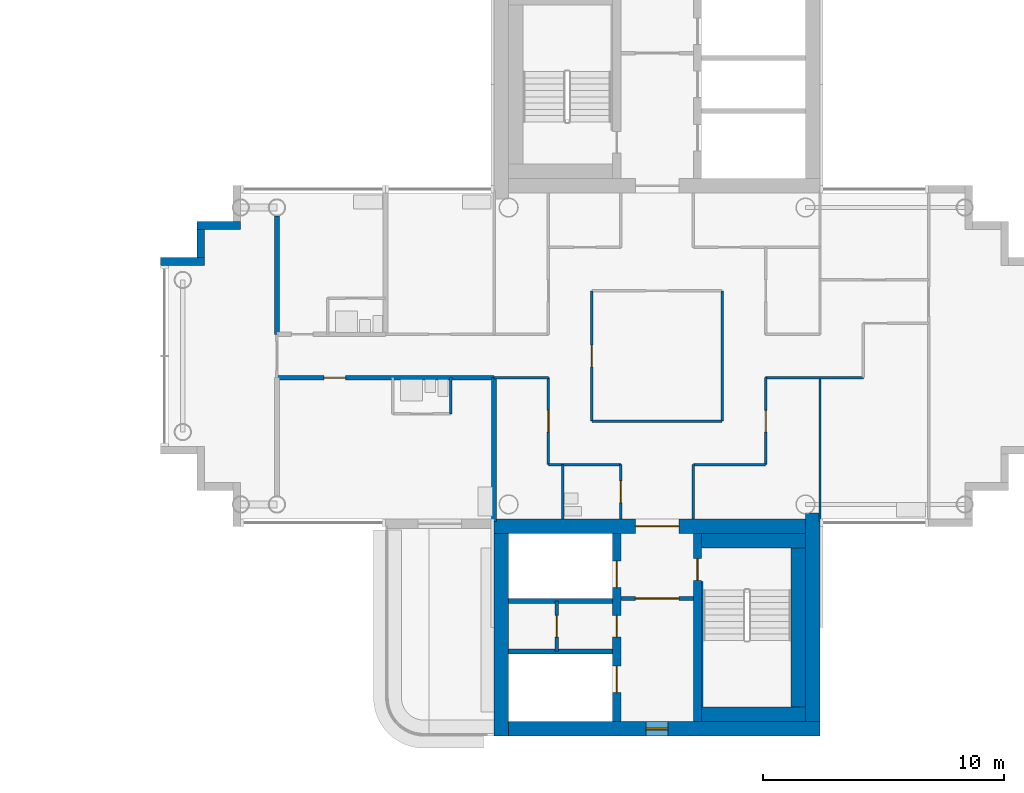
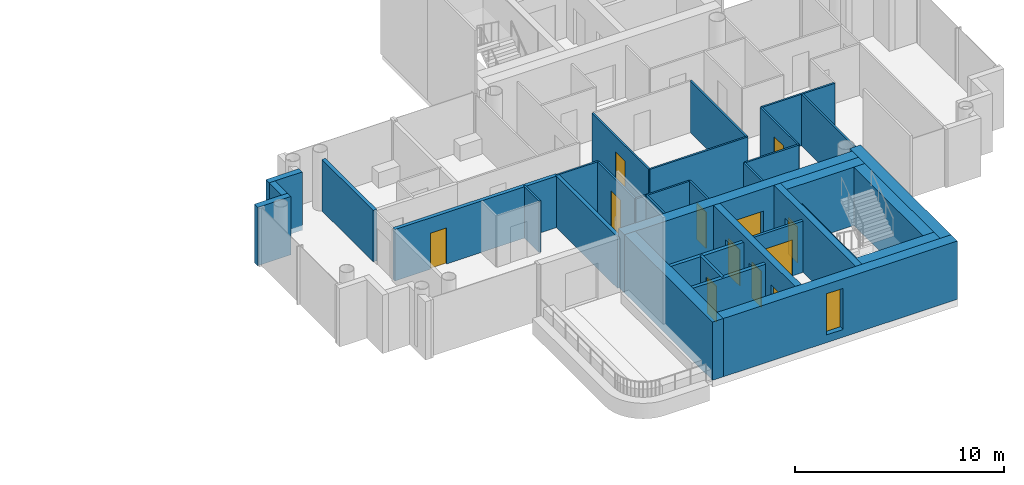
# One storey, part 9 of 18: 34 walls, 12 doors, 1 window, 13 openings.
"""IFC4 building model written with IfcOpenShell, lengths in metres."""

import ifcopenshell
import ifcopenshell.guid

model = None  # the IFC model being written
_history = None  # IfcOwnerHistory: only IFC2X3 demands one
_inside = {}  # id of a spatial element -> (the spatial element, [elements in it])
_under = {}  # id of a project, library or spatial element -> (it, [spatial elements below it])
_declared = {}  # id of a project -> (the project, [libraries it declares])
_typed = {}  # id of a type object -> (the type object, [elements of that type])
_made_of = {}  # id of a material, layer set ... -> (it, [elements and type objects made of it])


def new_model(schema):
    """Start an empty IFC model of exactly this schema.

    Asked for "IFC4X3", IfcOpenShell would pick the latest addendum, in which some entities
    have other attributes; the version numbers below select the first issue.
    IFC2X3 requires an IfcOwnerHistory on every rooted entity: one is made here for all.
    """
    global model, _history
    if schema == "IFC4X3":
        model = ifcopenshell.file(schema_version=(4, 3, 0, 0))
    else:
        model = ifcopenshell.file(schema=schema)
    _inside.clear()
    _under.clear()
    _declared.clear()
    _typed.clear()
    _made_of.clear()
    _history = None
    if model.schema == "IFC2X3":
        org = make("IfcOrganization", Name="unknown")
        user = make(
            "IfcPersonAndOrganization",
            ThePerson=make("IfcPerson", FamilyName="unknown"),
            TheOrganization=org,
        )
        app = make(
            "IfcApplication",
            ApplicationDeveloper=org,
            Version="unknown",
            ApplicationFullName="unknown",
            ApplicationIdentifier="unknown",
        )
        _history = make(
            "IfcOwnerHistory",
            OwningUser=user,
            OwningApplication=app,
            ChangeAction="ADDED",
            CreationDate=0,
        )
    return model


def make(cls, **values):
    """One entity of the class cls with the attributes given. An attribute that is None is left unset."""
    return model.create_entity(
        cls, **{name: value for name, value in values.items() if value is not None}
    )


def rooted(cls, **values):
    """An entity with a GlobalId (a new one), such as an element, a storey or a relation."""
    return make(cls, GlobalId=ifcopenshell.guid.new(), OwnerHistory=_history, **values)


def si_unit(unit_type, name, prefix=None):
    """IfcSIUnit, for example si_unit("LENGTHUNIT", "METRE", prefix="MILLI")."""
    return make("IfcSIUnit", UnitType=unit_type, Prefix=prefix, Name=name)


def assignment(units):
    """IfcUnitAssignment: the units of a project."""
    return None if units is None else make("IfcUnitAssignment", Units=units)


def point(xyz):
    """IfcCartesianPoint."""
    return None if xyz is None else make("IfcCartesianPoint", Coordinates=xyz)


def direction(xyz):
    """IfcDirection."""
    return None if xyz is None else make("IfcDirection", DirectionRatios=xyz)


def frame(location, z_axis=None, x_axis=None):
    """IfcAxis2Placement3D, a coordinate frame: its origin and axes. An axis left out is left unset."""
    return make(
        "IfcAxis2Placement3D",
        Location=point(location),
        Axis=direction(z_axis),
        RefDirection=direction(x_axis),
    )


def frame_2d(location, x_axis=None):
    """IfcAxis2Placement2D, a coordinate frame in the plane: its origin and x axis."""
    return make(
        "IfcAxis2Placement2D", Location=point(location), RefDirection=direction(x_axis)
    )


def origin():
    """The frame at (0, 0, 0) with its axes left unset."""
    return frame((0.0, 0.0, 0.0))


def place(relative_to, where):
    """IfcLocalPlacement: puts the frame where relative to a parent placement (None: the world)."""
    return make(
        "IfcLocalPlacement", PlacementRelTo=relative_to, RelativePlacement=where
    )


def context(
    kind, dimensions, precision=None, world=None, true_north=None, identifier=None
):
    """IfcGeometricRepresentationContext, for example the 3D "Model" context."""
    return make(
        "IfcGeometricRepresentationContext",
        ContextIdentifier=identifier,
        ContextType=kind,
        CoordinateSpaceDimension=dimensions,
        Precision=precision,
        WorldCoordinateSystem=world,
        TrueNorth=true_north,
    )


def subcontext(parent, identifier, kind, view, scale=None):
    """IfcGeometricRepresentationSubContext, for example "Body" below "Model"."""
    return make(
        "IfcGeometricRepresentationSubContext",
        ContextIdentifier=identifier,
        ContextType=kind,
        ParentContext=parent,
        TargetScale=scale,
        TargetView=view,
    )


def project(units=None, contexts=None):
    """IfcProject with its units and contexts."""
    return rooted(
        "IfcProject",
        Name="project",
        RepresentationContexts=contexts,
        UnitsInContext=assignment(units),
    )


def spatial(cls, under=None, at=None, **own):
    """A site, building, storey or space (cls), placed at a placement, below another one or the project."""
    s = rooted(cls, ObjectPlacement=at, **own)
    if under is not None:
        _under.setdefault(under.id(), (under, []))[1].append(s)
    return s


def profile(cls, at=None, kind="AREA", **sizes):
    """A parametric profile (cls). Its sizes go by their IFC names, for example OverallWidth=200.0."""
    return make(cls, ProfileType=kind, Position=at, **sizes)


def rectangle(**sizes):
    """IfcRectangleProfileDef."""
    return profile("IfcRectangleProfileDef", **sizes)


def extrude(swept, where, along, depth):
    """IfcExtrudedAreaSolid: the profile swept, set in the frame where, extruded along a direction by depth."""
    return make(
        "IfcExtrudedAreaSolid",
        SweptArea=swept,
        Position=where,
        ExtrudedDirection=direction(along),
        Depth=depth,
    )


def shape(context_of_items, identifier, shape_type, items):
    """IfcShapeRepresentation: the items that make up one representation, for example the "Body"."""
    return make(
        "IfcShapeRepresentation",
        ContextOfItems=context_of_items,
        RepresentationIdentifier=identifier,
        RepresentationType=shape_type,
        Items=items,
    )


def material(Name=None, Category=None):
    """IfcMaterial."""
    return make("IfcMaterial", Name=Name, Category=Category)


def layer(
    of_material, thickness, ventilated=None, Name=None, Category=None, Priority=None
):
    """IfcMaterialLayer: one layer of a wall or slab, of a material (None: an air gap)."""
    return make(
        "IfcMaterialLayer",
        Material=of_material,
        LayerThickness=thickness,
        IsVentilated=ventilated,
        Name=Name,
        Category=Category,
        Priority=Priority,
    )


def layer_set(layers, Name=None):
    """IfcMaterialLayerSet."""
    return make("IfcMaterialLayerSet", MaterialLayers=layers, LayerSetName=Name)


def made_of(thing, what):
    """Note that an element or type object is made of a material, layer set ...; save() writes the relation."""
    if what is not None:
        _made_of.setdefault(what.id(), (what, []))[1].append(thing)
    return thing


def type_object(cls, material=None, **own):
    """A type object (cls), such as IfcWallType, which elements share."""
    return made_of(rooted(cls, **own), material)


def element(
    cls,
    number,
    at=None,
    inside=None,
    cuts=None,
    type_object=None,
    material=None,
    context=None,
    identifier="Body",
    shape_type=None,
    held_by="IfcProductDefinitionShape",
    body=None,
    shapes=None,
    **own,
):
    """One element of the class cls, such as IfcWall. Its Tag is "e" and its number.

    at: its placement. inside: the storey or other place that contains it. cuts: it is an
    opening in that element (IfcRelVoidsElement). A single representation is given by context,
    identifier, shape_type and body (its items); several are given by shapes. held_by: the class
    of the entity that holds the representations. save() writes the other relations.
    """
    e = rooted(cls, Tag="e%d" % number, ObjectPlacement=at, **own)
    if body is not None:
        shapes = [shape(context, identifier, shape_type, body)]
    if shapes is not None:
        e.Representation = make(held_by, Representations=shapes)
    if inside is not None:
        _inside.setdefault(inside.id(), (inside, []))[1].append(e)
    if cuts is not None:
        rooted(
            "IfcRelVoidsElement", RelatingBuildingElement=cuts, RelatedOpeningElement=e
        )
    if type_object is not None:
        _typed.setdefault(type_object.id(), (type_object, []))[1].append(e)
    return made_of(e, material)


def fill(opening, filler):
    """IfcRelFillsElement: the door or window that sits in an opening."""
    return rooted(
        "IfcRelFillsElement",
        RelatingOpeningElement=opening,
        RelatedBuildingElement=filler,
    )


def aggregate(whole, parts):
    """IfcRelAggregates: a whole, such as a stair, and the parts it consists of."""
    return rooted("IfcRelAggregates", RelatingObject=whole, RelatedObjects=parts)


def save(model, path):
    """Write the relations noted so far, then the file.

    IfcRelAggregates (storeys below a building ...), IfcRelContainedInSpatialStructure (elements
    in a storey), IfcRelDefinesByType, IfcRelAssociatesMaterial and IfcRelDeclares: one each for
    every whole, place, type object, material and project.
    """
    for whole, parts in _under.values():
        aggregate(whole, parts)
    for where, things in _inside.values():
        rooted(
            "IfcRelContainedInSpatialStructure",
            RelatedElements=things,
            RelatingStructure=where,
        )
    for kind, things in _typed.values():
        rooted("IfcRelDefinesByType", RelatedObjects=things, RelatingType=kind)
    for what, things in _made_of.values():
        rooted("IfcRelAssociatesMaterial", RelatedObjects=things, RelatingMaterial=what)
    for by, libraries in _declared.values():
        rooted("IfcRelDeclares", RelatingContext=by, RelatedDefinitions=libraries)
    model.write(path)


model = new_model("IFC4")

# Units and contexts
model_context = context("Model", 3, precision=1e-05, world=origin(), true_north=direction((0.0, 1.0)))
body_context = subcontext(model_context, "Body", "Model", "MODEL_VIEW")
ifc_project = project(units=[si_unit("LENGTHUNIT", "METRE"), si_unit("AREAUNIT", "SQUARE_METRE"), si_unit("VOLUMEUNIT", "CUBIC_METRE"), si_unit("PLANEANGLEUNIT", "RADIAN"), si_unit("MASSUNIT", "GRAM", prefix="KILO")], contexts=[model_context])

# Site, building, storey
site_placement = place(None, origin())
site = spatial("IfcSite", under=ifc_project, at=site_placement, CompositionType="ELEMENT")
building_placement = place(site_placement, origin())
building = spatial("IfcBuilding", under=site, at=building_placement, Name="Ipe Terrace Towers", CompositionType="ELEMENT")
storey_placement = place(building_placement, frame((0.0, 0.0, 206.199951171875)))
storey = spatial("IfcBuildingStorey", under=building, at=storey_placement, Name="L57", CompositionType="ELEMENT", Elevation=206.199951171875)

# Walls
ifc_material_1 = material(Name="Concrete C40/50 with buff precast cladding", Category="concrete")
ifc_layer_1 = layer(ifc_material_1, 0.320068359375)
ifc_layer_set_1 = layer_set([ifc_layer_1], Name="BUFF CLADDING WALL 320")
wall_type_1 = type_object("IfcWallType", Name="BUFF CLADDING WALL 320", PredefinedType="STANDARD", material=ifc_layer_set_1)
wall_1_placement = place(storey_placement, frame((18.75, 5.409912109375, -0.300048828125), z_axis=(0.0, 0.0, 1.0), x_axis=(-1.0, 0.0, 0.0)))
element("IfcWall", 1, at=wall_1_placement, inside=storey, type_object=wall_type_1, Name="T2-W-L57-23a wall", PredefinedType="STANDARD", context=body_context, shape_type="SweptSolid", body=[
    extrude(rectangle(XDim=1.820068359375, YDim=0.320068359375, at=frame_2d((0.91015625, 0.0))), origin(), (0.0, 0.0, 1.0), 3.400146484375),
])
wall_2_placement = place(storey_placement, frame((17.090087890625, 5.25, -0.300048828125), z_axis=(0.0, 0.0, 1.0), x_axis=(0.0, -1.0, 0.0)))
element("IfcWall", 2, at=wall_2_placement, inside=storey, type_object=wall_type_1, Name="T2-W-L57-24a wall", PredefinedType="STANDARD", context=body_context, shape_type="SweptSolid", body=[
    extrude(rectangle(XDim=1.179931640625, YDim=0.320068359375, at=frame_2d((0.58984375, 0.0))), origin(), (0.0, 0.0, 1.0), 3.400146484375),
])
wall_3_placement = place(storey_placement, frame((17.25, 3.909912109375, -0.300048828125), z_axis=(0.0, 0.0, 1.0), x_axis=(-1.0, 0.0, 0.0)))
element("IfcWall", 3, at=wall_3_placement, inside=storey, type_object=wall_type_1, Name="T2-W-L57-25a wall", PredefinedType="STANDARD", context=body_context, shape_type="SweptSolid", body=[
    extrude(rectangle(XDim=1.820068359375, YDim=0.320068359375, at=frame_2d((0.91015625, 0.0))), origin(), (0.0, 0.0, 1.0), 3.400146484375),
])
ifc_material_2 = material(Name="Gypsum board partition", Category="plasterboard")
ifc_layer_2 = layer(ifc_material_2, 0.10009765625)
ifc_layer_set_2 = layer_set([ifc_layer_2], Name="Gypsum board partition 100 mm")
wall_type_2 = type_object("IfcWallType", Name="Gypsum board partition 100 mm", PredefinedType="PARTITIONING", material=ifc_layer_set_2)
for number, where, z_axis, x_axis, name in (
    (4, (40.5, -4.5, 0.0), (0.0, 0.0, 1.0), (-1.0, 0.0, 0.0), "Gypsum board partition T2 L57 W01"),
    (5, (34.5, -4.5, 0.0), (0.0, 0.0, 1.0), (-1.0, 0.0, 0.0), "Gypsum board partition T2 L57 W02"),
):
    element("IfcWall", number, at=place(storey_placement, frame(where, z_axis=z_axis, x_axis=x_axis)), inside=storey, type_object=wall_type_2, Name=name, PredefinedType="PARTITIONING", context=body_context, shape_type="SweptSolid", body=[
        extrude(rectangle(XDim=3.0, YDim=0.10009765625, at=frame_2d((1.5, 0.0))), origin(), (0.0, 0.0, 1.0), 3.0),
    ])
wall_4_placement = place(storey_placement, frame((38.699951171875, -2.699951171875, 0.0), z_axis=(0.0, 0.0, 1.0), x_axis=(-1.0, 0.0, 0.0)))
element("IfcWall", 6, at=wall_4_placement, inside=storey, type_object=wall_type_2, Name="Gypsum board partition T2 L57 W03", PredefinedType="PARTITIONING", context=body_context, shape_type="SweptSolid", body=[
    extrude(rectangle(XDim=5.39990234375, YDim=0.10009765625, at=frame_2d((2.699951171875, 0.0))), origin(), (0.0, 0.0, 1.0), 3.0),
])
wall_5_placement = place(storey_placement, frame((44.550048828125, -0.89990234375, 0.0), z_axis=(0.0, 0.0, 1.0), x_axis=(-1.0, 0.0, 0.0)))
element("IfcWall", 7, at=wall_5_placement, inside=storey, type_object=wall_type_2, Name="Gypsum board partition T2 L57 W05", PredefinedType="PARTITIONING", context=body_context, shape_type="SweptSolid", body=[
    extrude(rectangle(XDim=4.050048828125, YDim=0.10009765625, at=frame_2d((2.02490234375, 0.0))), origin(), (0.0, 0.0, 1.0), 3.0),
])
wall_6_placement = place(storey_placement, frame((31.5, -0.89990234375, 0.0), z_axis=(0.0, 0.0, 1.0), x_axis=(-1.0, 0.0, 0.0)))
element("IfcWall", 8, at=wall_6_placement, inside=storey, type_object=wall_type_2, Name="Gypsum board partition T2 L57 W06", PredefinedType="PARTITIONING", context=body_context, shape_type="SweptSolid", body=[
    extrude(rectangle(XDim=2.25, YDim=0.10009765625, at=frame_2d((1.125, 0.0))), origin(), (0.0, 0.0, 1.0), 3.0),
])
wall_7_placement = place(storey_placement, frame((42.75, -6.85009765625, 0.0), z_axis=(0.0, 0.0, 1.0), x_axis=(0.0, 1.0, 0.0)))
element("IfcWall", 9, at=wall_7_placement, inside=storey, type_object=wall_type_2, Name="Gypsum board partition T2 L57 W19", PredefinedType="PARTITIONING", context=body_context, shape_type="SweptSolid", body=[
    extrude(rectangle(XDim=5.9501953125, YDim=0.10009765625, at=frame_2d((2.97509765625, 0.0))), origin(), (0.0, 0.0, 1.0), 3.0),
])

# Wall, opening, door
wall_8_placement = place(storey_placement, frame((40.5, -4.5, 0.0), z_axis=(0.0, 0.0, 1.0), x_axis=(0.0, 1.0, 0.0)))
wall_8 = element("IfcWall", 10, at=wall_8_placement, inside=storey, type_object=wall_type_2, Name="Gypsum board partition T2 L57 W21", PredefinedType="PARTITIONING", context=body_context, shape_type="SweptSolid", body=[
    extrude(rectangle(XDim=3.60009765625, YDim=0.10009765625, at=frame_2d((1.800048828125, 0.0))), origin(), (0.0, 0.0, 1.0), 3.0),
])
opening_1_placement = place(wall_8_placement, frame((1.35009765625, 0.0, 0.0)))
opening_1 = element("IfcOpeningElement", 11, at=opening_1_placement, cuts=wall_8, Name="Opening T2-Z4E-07", PredefinedType="OPENING", context=body_context, shape_type="SweptSolid", body=[
    extrude(rectangle(XDim=0.89990234375, YDim=2.10009765625, at=frame_2d((0.449951171875, 1.050048828125))), frame((0.0, 0.06005859375, 0.0), z_axis=(0.0, -1.0, 0.0), x_axis=(1.0, 0.0, 0.0)), (0.0, 0.0, 1.0), 0.1201171875),
])
ifc_material_3 = material(Name="Timber door leaf", Category="wood")
door_type_1 = type_object("IfcDoorType", Name="Lounge door 900 x 2100", OperationType="NOTDEFINED", PredefinedType="DOOR", material=ifc_material_3)
door_1_placement = place(opening_1_placement, origin())
door_1 = element("IfcDoor", 12, at=door_1_placement, inside=storey, type_object=door_type_1, Name="Lounge door T2-Z4E-07", OperationType="SINGLE_SWING_RIGHT", OverallHeight=2.10009765625, OverallWidth=0.89990234375, PredefinedType="DOOR", context=body_context, shape_type="SweptSolid", body=[
    extrude(rectangle(XDim=0.89990234375, YDim=2.10009765625, at=frame_2d((0.449951171875, 1.050048828125))), frame((0.0, 0.02490234375, 0.0), z_axis=(0.0, -1.0, 0.0), x_axis=(1.0, 0.0, 0.0)), (0.0, 0.0, 1.0), 0.050048828125),
])
fill(opening_1, door_1)

# Walls
wall_9_placement = place(storey_placement, frame((38.699951171875, -2.699951171875, 0.0), z_axis=(0.0, 0.0, 1.0), x_axis=(0.0, 1.0, 0.0)))
element("IfcWall", 13, at=wall_9_placement, inside=storey, type_object=wall_type_2, Name="Gypsum board partition T2 L57 W23", PredefinedType="PARTITIONING", context=body_context, shape_type="SweptSolid", body=[
    extrude(rectangle(XDim=5.39990234375, YDim=0.10009765625, at=frame_2d((2.699951171875, 0.0))), origin(), (0.0, 0.0, 1.0), 3.0),
])
wall_10_placement = place(storey_placement, frame((37.5, -6.75, 0.0), z_axis=(0.0, 0.0, 1.0), x_axis=(0.0, 1.0, 0.0)))
element("IfcWall", 14, at=wall_10_placement, inside=storey, type_object=wall_type_2, Name="Gypsum board partition T2 L57 W24", PredefinedType="PARTITIONING", context=body_context, shape_type="SweptSolid", body=[
    extrude(rectangle(XDim=2.25, YDim=0.10009765625, at=frame_2d((1.125, 0.0))), origin(), (0.0, 0.0, 1.0), 3.0),
])

# Wall, opening, door
wall_11_placement = place(storey_placement, frame((34.5, -6.75, 0.0), z_axis=(0.0, 0.0, 1.0), x_axis=(0.0, 1.0, 0.0)))
wall_11 = element("IfcWall", 15, at=wall_11_placement, inside=storey, type_object=wall_type_2, Name="Gypsum board partition T2 L57 W26", PredefinedType="PARTITIONING", context=body_context, shape_type="SweptSolid", body=[
    extrude(rectangle(XDim=2.25, YDim=0.10009765625, at=frame_2d((1.125, 0.0))), origin(), (0.0, 0.0, 1.0), 3.0),
])
opening_2_placement = place(wall_11_placement, frame((0.675048828125, 0.0, 0.0)))
opening_2 = element("IfcOpeningElement", 16, at=opening_2_placement, cuts=wall_11, Name="Opening T2-Z4E-03", PredefinedType="OPENING", context=body_context, shape_type="SweptSolid", body=[
    extrude(rectangle(XDim=0.89990234375, YDim=2.10009765625, at=frame_2d((0.449951171875, 1.050048828125))), frame((0.0, 0.06005859375, 0.0), z_axis=(0.0, -1.0, 0.0), x_axis=(1.0, 0.0, 0.0)), (0.0, 0.0, 1.0), 0.1201171875),
])
ifc_material_4 = material(Name="Timber door leaf", Category="wood")
door_type_2 = type_object("IfcDoorType", Name="Bathroom door 900 x 2100", OperationType="NOTDEFINED", PredefinedType="DOOR", material=ifc_material_4)
door_2_placement = place(opening_2_placement, origin())
door_2 = element("IfcDoor", 17, at=door_2_placement, inside=storey, type_object=door_type_2, Name="Bathroom door T2-Z4E-03", OperationType="SINGLE_SWING_LEFT", OverallHeight=2.10009765625, OverallWidth=0.89990234375, PredefinedType="DOOR", context=body_context, shape_type="SweptSolid", body=[
    extrude(rectangle(XDim=0.89990234375, YDim=2.10009765625, at=frame_2d((0.449951171875, 1.050048828125))), frame((0.0, 0.02490234375, 0.0), z_axis=(0.0, -1.0, 0.0), x_axis=(1.0, 0.0, 0.0)), (0.0, 0.0, 1.0), 0.050048828125),
])
fill(opening_2, door_2)

wall_12_placement = place(storey_placement, frame((33.300048828125, -2.699951171875, 0.0), z_axis=(0.0, 0.0, 1.0), x_axis=(0.0, 1.0, 0.0)))
wall_12 = element("IfcWall", 18, at=wall_12_placement, inside=storey, type_object=wall_type_2, Name="Gypsum board partition T2 L57 W28", PredefinedType="PARTITIONING", context=body_context, shape_type="SweptSolid", body=[
    extrude(rectangle(XDim=5.39990234375, YDim=0.10009765625, at=frame_2d((2.699951171875, 0.0))), origin(), (0.0, 0.0, 1.0), 3.0),
])
opening_3_placement = place(wall_12_placement, frame((2.25, 0.0, 0.0)))
opening_3 = element("IfcOpeningElement", 19, at=opening_3_placement, cuts=wall_12, Name="Opening T2-Z4E-01", PredefinedType="OPENING", context=body_context, shape_type="SweptSolid", body=[
    extrude(rectangle(XDim=0.89990234375, YDim=2.10009765625, at=frame_2d((0.449951171875, 1.050048828125))), frame((0.0, 0.06005859375, 0.0), z_axis=(0.0, -1.0, 0.0), x_axis=(1.0, 0.0, 0.0)), (0.0, 0.0, 1.0), 0.1201171875),
])
door_3_placement = place(opening_3_placement, origin())
door_3 = element("IfcDoor", 20, at=door_3_placement, inside=storey, type_object=door_type_1, Name="Lounge door T2-Z4E-01", OperationType="SINGLE_SWING_RIGHT", OverallHeight=2.10009765625, OverallWidth=0.89990234375, PredefinedType="DOOR", context=body_context, shape_type="SweptSolid", body=[
    extrude(rectangle(XDim=0.89990234375, YDim=2.10009765625, at=frame_2d((0.449951171875, 1.050048828125))), frame((0.0, 0.02490234375, 0.0), z_axis=(0.0, -1.0, 0.0), x_axis=(1.0, 0.0, 0.0)), (0.0, 0.0, 1.0), 0.050048828125),
])
fill(opening_3, door_3)

# Wall
wall_13_placement = place(storey_placement, frame((32.10009765625, -6.75, 0.0), z_axis=(0.0, 0.0, 1.0), x_axis=(0.0, 1.0, 0.0)))
element("IfcWall", 21, at=wall_13_placement, inside=storey, type_object=wall_type_2, Name="Gypsum board partition T2 L57 W29", PredefinedType="PARTITIONING", context=body_context, shape_type="SweptSolid", body=[
    extrude(rectangle(XDim=2.25, YDim=0.10009765625, at=frame_2d((1.125, 0.0))), origin(), (0.0, 0.0, 1.0), 3.0),
])

# Wall, opening, door
wall_14_placement = place(storey_placement, frame((31.5, -4.5, 0.0), z_axis=(0.0, 0.0, 1.0), x_axis=(0.0, 1.0, 0.0)))
wall_14 = element("IfcWall", 22, at=wall_14_placement, inside=storey, type_object=wall_type_2, Name="Gypsum board partition T2 L57 W30", PredefinedType="PARTITIONING", context=body_context, shape_type="SweptSolid", body=[
    extrude(rectangle(XDim=3.60009765625, YDim=0.10009765625, at=frame_2d((1.800048828125, 0.0))), origin(), (0.0, 0.0, 1.0), 3.0),
])
opening_4_placement = place(wall_14_placement, frame((1.35009765625, 0.0, 0.0)))
opening_4 = element("IfcOpeningElement", 23, at=opening_4_placement, cuts=wall_14, Name="Opening T2-Z4E-06", PredefinedType="OPENING", context=body_context, shape_type="SweptSolid", body=[
    extrude(rectangle(XDim=0.89990234375, YDim=2.10009765625, at=frame_2d((0.449951171875, 1.050048828125))), frame((0.0, 0.06005859375, 0.0), z_axis=(0.0, -1.0, 0.0), x_axis=(1.0, 0.0, 0.0)), (0.0, 0.0, 1.0), 0.1201171875),
])
door_4_placement = place(opening_4_placement, origin())
door_4 = element("IfcDoor", 24, at=door_4_placement, inside=storey, type_object=door_type_1, Name="Lounge door T2-Z4E-06", OperationType="SINGLE_SWING_RIGHT", OverallHeight=2.10009765625, OverallWidth=0.89990234375, PredefinedType="DOOR", context=body_context, shape_type="SweptSolid", body=[
    extrude(rectangle(XDim=0.89990234375, YDim=2.10009765625, at=frame_2d((0.449951171875, 1.050048828125))), frame((0.0, 0.02490234375, 0.0), z_axis=(0.0, -1.0, 0.0), x_axis=(1.0, 0.0, 0.0)), (0.0, 0.0, 1.0), 0.050048828125),
])
fill(opening_4, door_4)

# Wall
wall_15_placement = place(storey_placement, frame((27.449951171875, -2.39990234375, 0.0), z_axis=(0.0, 0.0, 1.0), x_axis=(0.0, 1.0, 0.0)))
element("IfcWall", 25, at=wall_15_placement, inside=storey, type_object=wall_type_2, Name="Gypsum board partition T2 L57 W34", PredefinedType="PARTITIONING", context=body_context, shape_type="SweptSolid", body=[
    extrude(rectangle(XDim=1.5, YDim=0.10009765625, at=frame_2d((0.75, 0.0))), origin(), (0.0, 0.0, 1.0), 3.0),
])

# Wall, opening, door
ifc_material_5 = material(Name="Gypsum board partition", Category="plasterboard")
ifc_layer_3 = layer(ifc_material_5, 0.14990234375)
ifc_layer_set_3 = layer_set([ifc_layer_3], Name="Gypsum board partition 150 mm")
wall_type_3 = type_object("IfcWallType", Name="Gypsum board partition 150 mm", PredefinedType="PARTITIONING", material=ifc_layer_set_3)
wall_16_placement = place(storey_placement, frame((34.5, -10.050048828125, 0.0), z_axis=(0.0, 0.0, 1.0), x_axis=(1.0, 0.0, 0.0)))
wall_16 = element("IfcWall", 26, at=wall_16_placement, inside=storey, type_object=wall_type_3, Name="Gypsum board partition T2 L57 t2c2-lobby-wall", PredefinedType="PARTITIONING", context=body_context, shape_type="SweptSolid", body=[
    extrude(rectangle(XDim=3.0, YDim=0.14990234375, at=frame_2d((1.5, 0.0))), origin(), (0.0, 0.0, 1.0), 3.0),
])
opening_5_placement = place(wall_16_placement, frame((0.60009765625, 0.0, 0.0)))
opening_5 = element("IfcOpeningElement", 27, at=opening_5_placement, cuts=wall_16, Name="Opening T2C2-VD", PredefinedType="OPENING", context=body_context, shape_type="SweptSolid", body=[
    extrude(rectangle(XDim=1.800048828125, YDim=2.10009765625, at=frame_2d((0.89990234375, 1.050048828125))), frame((0.0, 0.0849609375, 0.0), z_axis=(0.0, -1.0, 0.0), x_axis=(1.0, 0.0, 0.0)), (0.0, 0.0, 1.0), 0.169921875),
])
ifc_material_6 = material(Name="Fire-rated timber door leaf", Category="wood")
door_type_3 = type_object("IfcDoorType", Name="Lobby door 1800 x 2100 FD60", OperationType="NOTDEFINED", PredefinedType="DOOR", material=ifc_material_6)
door_5_placement = place(opening_5_placement, origin())
door_5 = element("IfcDoor", 28, at=door_5_placement, inside=storey, type_object=door_type_3, Name="Lobby door T2C2-VD", OperationType="SINGLE_SWING_LEFT", OverallHeight=2.10009765625, OverallWidth=1.800048828125, PredefinedType="DOOR", context=body_context, shape_type="SweptSolid", body=[
    extrude(rectangle(XDim=1.800048828125, YDim=2.10009765625, at=frame_2d((0.89990234375, 1.050048828125))), frame((0.0, 0.02490234375, 0.0), z_axis=(0.0, -1.0, 0.0), x_axis=(1.0, 0.0, 0.0)), (0.0, 0.0, 1.0), 0.050048828125),
])
fill(opening_5, door_5)

wall_17_placement = place(storey_placement, frame((31.85009765625, -10.14990234375, 0.0), z_axis=(0.0, 0.0, 1.0), x_axis=(0.0, -1.0, 0.0)))
wall_17 = element("IfcWall", 29, at=wall_17_placement, inside=storey, type_object=wall_type_3, Name="Gypsum board partition T2 L57 t2c2-q-back", PredefinedType="PARTITIONING", context=body_context, shape_type="SweptSolid", body=[
    extrude(rectangle(XDim=2.10009765625, YDim=0.14990234375, at=frame_2d((1.050048828125, 0.0))), origin(), (0.0, 0.0, 1.0), 3.0),
])
opening_6_placement = place(wall_17_placement, frame((0.60009765625, 0.0, 0.0)))
opening_6 = element("IfcOpeningElement", 30, at=opening_6_placement, cuts=wall_17, Name="Opening T2C2-RB-FD30S", PredefinedType="OPENING", context=body_context, shape_type="SweptSolid", body=[
    extrude(rectangle(XDim=0.89990234375, YDim=2.10009765625, at=frame_2d((0.449951171875, 1.050048828125))), frame((0.0, 0.0849609375, 0.0), z_axis=(0.0, -1.0, 0.0), x_axis=(1.0, 0.0, 0.0)), (0.0, 0.0, 1.0), 0.169921875),
])
ifc_material_7 = material(Name="Fire-rated timber door leaf", Category="wood")
door_type_4 = type_object("IfcDoorType", Name="Service door 900 x 2100 FD30S", OperationType="NOTDEFINED", PredefinedType="DOOR", material=ifc_material_7)
door_6_placement = place(opening_6_placement, origin())
door_6 = element("IfcDoor", 31, at=door_6_placement, inside=storey, type_object=door_type_4, Name="Service door T2C2-RB-FD30S", OperationType="SINGLE_SWING_LEFT", OverallHeight=2.10009765625, OverallWidth=0.89990234375, PredefinedType="DOOR", context=body_context, shape_type="SweptSolid", body=[
    extrude(rectangle(XDim=0.89990234375, YDim=2.10009765625, at=frame_2d((0.449951171875, 1.050048828125))), frame((0.0, 0.02490234375, 0.0), z_axis=(0.0, -1.0, 0.0), x_axis=(1.0, 0.0, 0.0)), (0.0, 0.0, 1.0), 0.050048828125),
])
fill(opening_6, door_6)

# Walls
ifc_material_8 = material(Name="Gypsum board party wall", Category="plasterboard")
ifc_layer_4 = layer(ifc_material_8, 0.199951171875)
ifc_layer_set_4 = layer_set([ifc_layer_4], Name="Gypsum board party wall 200 mm")
wall_type_4 = type_object("IfcWallType", Name="Gypsum board party wall 200 mm", PredefinedType="SOLIDWALL", material=ifc_layer_set_4)
for number, where, z_axis, x_axis, name in (
    (32, (29.85009765625, -12.25, 0.0), (0.0, 0.0, 1.0), (1.0, 0.0, 0.0), "Gypsum board party wall T2 L57 t2c2-shaft-div2"),
    (33, (29.85009765625, -10.14990234375, 0.0), (0.0, 0.0, 1.0), (1.0, 0.0, 0.0), "Gypsum board party wall T2 L57 t2c2-shaft-div1"),
):
    element("IfcWall", number, at=place(storey_placement, frame(where, z_axis=z_axis, x_axis=x_axis)), inside=storey, type_object=wall_type_4, Name=name, PredefinedType="SOLIDWALL", context=body_context, shape_type="SweptSolid", body=[
        extrude(rectangle(XDim=4.2998046875, YDim=0.199951171875, at=frame_2d((2.14990234375, 0.0))), origin(), (0.0, 0.0, 1.0), 3.0),
    ])

# Wall, opening, door
wall_18_placement = place(storey_placement, frame((29.25, -0.89990234375, 0.0), z_axis=(0.0, 0.0, 1.0), x_axis=(-1.0, 0.0, 0.0)))
wall_18 = element("IfcWall", 34, at=wall_18_placement, inside=storey, type_object=wall_type_4, Name="Gypsum board party wall T2 L57 W07", PredefinedType="SOLIDWALL", context=body_context, shape_type="SweptSolid", body=[
    extrude(rectangle(XDim=9.0, YDim=0.199951171875, at=frame_2d((4.5, 0.0))), origin(), (0.0, 0.0, 1.0), 3.0),
])
opening_7_placement = place(wall_18_placement, frame((6.14990234375, 0.0, 0.0)))
opening_7 = element("IfcOpeningElement", 35, at=opening_7_placement, cuts=wall_18, Name="Opening T2-Z4E-10", PredefinedType="OPENING", context=body_context, shape_type="SweptSolid", body=[
    extrude(rectangle(XDim=0.89990234375, YDim=2.10009765625, at=frame_2d((0.449951171875, 1.050048828125))), frame((0.0, 0.10986328125, 0.0), z_axis=(0.0, -1.0, 0.0), x_axis=(1.0, 0.0, 0.0)), (0.0, 0.0, 1.0), 0.219970703125),
])
ifc_material_9 = material(Name="Fire-rated timber door leaf", Category="wood")
door_type_5 = type_object("IfcDoorType", Name="Flat entrance door 900 x 2100 FD30S", OperationType="NOTDEFINED", PredefinedType="DOOR", material=ifc_material_9)
door_7_placement = place(opening_7_placement, origin())
door_7 = element("IfcDoor", 36, at=door_7_placement, inside=storey, type_object=door_type_5, Name="Flat entrance door T2-Z4E-10", OperationType="SINGLE_SWING_LEFT", OverallHeight=2.10009765625, OverallWidth=0.89990234375, PredefinedType="DOOR", context=body_context, shape_type="SweptSolid", body=[
    extrude(rectangle(XDim=0.89990234375, YDim=2.10009765625, at=frame_2d((0.449951171875, 1.050048828125))), frame((0.0, 0.02490234375, 0.0), z_axis=(0.0, -1.0, 0.0), x_axis=(1.0, 0.0, 0.0)), (0.0, 0.0, 1.0), 0.050048828125),
])
fill(opening_7, door_7)

# Walls
wall_19_placement = place(storey_placement, frame((29.25, -6.85009765625, 0.0), z_axis=(0.0, 0.0, 1.0), x_axis=(0.0, 1.0, 0.0)))
element("IfcWall", 37, at=wall_19_placement, inside=storey, type_object=wall_type_4, Name="Gypsum board party wall T2 L57 W33", PredefinedType="SOLIDWALL", context=body_context, shape_type="SweptSolid", body=[
    extrude(rectangle(XDim=5.9501953125, YDim=0.199951171875, at=frame_2d((2.97509765625, 0.0))), origin(), (0.0, 0.0, 1.0), 3.0),
])
wall_20_placement = place(storey_placement, frame((20.25, 0.89990234375, 0.0), z_axis=(0.0, 0.0, 1.0), x_axis=(0.0, 1.0, 0.0)))
element("IfcWall", 38, at=wall_20_placement, inside=storey, type_object=wall_type_4, Name="Gypsum board party wall T2 L57 W40", PredefinedType="SOLIDWALL", context=body_context, shape_type="SweptSolid", body=[
    extrude(rectangle(XDim=4.900146484375, YDim=0.199951171875, at=frame_2d((2.4501953125, 0.0))), origin(), (0.0, 0.0, 1.0), 3.0),
])

# Wall, openings, doors
ifc_material_10 = material(Name="Concrete C40/50", Category="concrete")
ifc_layer_5 = layer(ifc_material_10, 0.35009765625)
ifc_layer_set_5 = layer_set([ifc_layer_5], Name="RW350 CORE SPINE WALL 350 C40-50")
wall_type_5 = type_object("IfcWallType", Name="RW350 CORE SPINE WALL 350 C40-50", PredefinedType="SHEAR", material=ifc_layer_set_5)
wall_21_placement = place(storey_placement, frame((34.324951171875, -15.14990234375, 0.0), z_axis=(0.0, 0.0, 1.0), x_axis=(0.0, 1.0, 0.0)))
wall_21 = element("IfcWall", 39, at=wall_21_placement, inside=storey, type_object=wall_type_5, Name="Core spine wall T2-C2-Z4-SW1", PredefinedType="SHEAR", context=body_context, shape_type="SweptSolid", body=[
    extrude(rectangle(XDim=7.7998046875, YDim=0.35009765625, at=frame_2d((3.89990234375, 0.0))), origin(), (0.0, 0.0, 1.0), 3.400146484375),
])
opening_8_placement = place(wall_21_placement, frame((5.550048828125, 0.0, 0.0)))
opening_8 = element("IfcOpeningElement", 40, at=opening_8_placement, cuts=wall_21, Name="Opening T2C2-LD1", PredefinedType="OPENING", context=body_context, shape_type="SweptSolid", body=[
    extrude(rectangle(XDim=1.10009765625, YDim=2.10009765625, at=frame_2d((0.550048828125, 1.050048828125))), frame((0.0, 0.18505859375, 0.0), z_axis=(0.0, -1.0, 0.0), x_axis=(1.0, 0.0, 0.0)), (0.0, 0.0, 1.0), 0.3701171875),
])
opening_9_placement = place(wall_21_placement, frame((1.199951171875, 0.0, 0.0)))
opening_9 = element("IfcOpeningElement", 41, at=opening_9_placement, cuts=wall_21, Name="Opening T2C2-LD3", PredefinedType="OPENING", context=body_context, shape_type="SweptSolid", body=[
    extrude(rectangle(XDim=1.10009765625, YDim=2.10009765625, at=frame_2d((0.550048828125, 1.050048828125))), frame((0.0, 0.18505859375, 0.0), z_axis=(0.0, -1.0, 0.0), x_axis=(1.0, 0.0, 0.0)), (0.0, 0.0, 1.0), 0.3701171875),
])
opening_10_placement = place(wall_21_placement, frame((3.5, 0.0, 0.0)))
opening_10 = element("IfcOpeningElement", 42, at=opening_10_placement, cuts=wall_21, Name="Opening T2C2-R1", PredefinedType="OPENING", context=body_context, shape_type="SweptSolid", body=[
    extrude(rectangle(XDim=0.89990234375, YDim=2.10009765625, at=frame_2d((0.449951171875, 1.050048828125))), frame((0.0, 0.18505859375, 0.0), z_axis=(0.0, -1.0, 0.0), x_axis=(1.0, 0.0, 0.0)), (0.0, 0.0, 1.0), 0.3701171875),
])
ifc_material_11 = material(Name="Fire-rated timber door leaf", Category="wood")
door_type_6 = type_object("IfcDoorType", Name="Sliding door 1100 x 2100 FD60", OperationType="SLIDING_TO_LEFT", PredefinedType="DOOR", material=ifc_material_11)
door_8_placement = place(opening_8_placement, origin())
door_8 = element("IfcDoor", 43, at=door_8_placement, inside=storey, type_object=door_type_6, Name="Sliding door T2C2-LD1", OperationType="SLIDING_TO_LEFT", OverallHeight=2.10009765625, OverallWidth=1.10009765625, PredefinedType="DOOR", context=body_context, shape_type="SweptSolid", body=[
    extrude(rectangle(XDim=1.10009765625, YDim=2.10009765625, at=frame_2d((0.550048828125, 1.050048828125))), frame((0.0, 0.02490234375, 0.0), z_axis=(0.0, -1.0, 0.0), x_axis=(1.0, 0.0, 0.0)), (0.0, 0.0, 1.0), 0.050048828125),
])
fill(opening_8, door_8)
door_9_placement = place(opening_9_placement, origin())
door_9 = element("IfcDoor", 44, at=door_9_placement, inside=storey, type_object=door_type_6, Name="Sliding door T2C2-LD3", OperationType="SLIDING_TO_LEFT", OverallHeight=2.10009765625, OverallWidth=1.10009765625, PredefinedType="DOOR", context=body_context, shape_type="SweptSolid", body=[
    extrude(rectangle(XDim=1.10009765625, YDim=2.10009765625, at=frame_2d((0.550048828125, 1.050048828125))), frame((0.0, 0.02490234375, 0.0), z_axis=(0.0, -1.0, 0.0), x_axis=(1.0, 0.0, 0.0)), (0.0, 0.0, 1.0), 0.050048828125),
])
fill(opening_9, door_9)
ifc_material_12 = material(Name="Timber door leaf", Category="wood")
door_type_7 = type_object("IfcDoorType", Name="Store door 900 x 2100", OperationType="NOTDEFINED", PredefinedType="DOOR", material=ifc_material_12)
door_10_placement = place(opening_10_placement, origin())
door_10 = element("IfcDoor", 45, at=door_10_placement, inside=storey, type_object=door_type_7, Name="Store door T2C2-R1", OperationType="SINGLE_SWING_LEFT", OverallHeight=2.10009765625, OverallWidth=0.89990234375, PredefinedType="DOOR", context=body_context, shape_type="SweptSolid", body=[
    extrude(rectangle(XDim=0.89990234375, YDim=2.10009765625, at=frame_2d((0.449951171875, 1.050048828125))), frame((0.0, 0.02490234375, 0.0), z_axis=(0.0, -1.0, 0.0), x_axis=(1.0, 0.0, 0.0)), (0.0, 0.0, 1.0), 0.050048828125),
])
fill(opening_10, door_10)

# Wall, opening, door
wall_22_placement = place(storey_placement, frame((37.675048828125, -15.14990234375, 0.0), z_axis=(0.0, 0.0, 1.0), x_axis=(0.0, 1.0, 0.0)))
wall_22 = element("IfcWall", 46, at=wall_22_placement, inside=storey, type_object=wall_type_5, Name="Core spine wall T2-C2-Z4-SW2", PredefinedType="SHEAR", context=body_context, shape_type="SweptSolid", body=[
    extrude(rectangle(XDim=7.7998046875, YDim=0.35009765625, at=frame_2d((3.89990234375, 0.0))), origin(), (0.0, 0.0, 1.0), 3.400146484375),
])
opening_11_placement = place(wall_22_placement, frame((5.85009765625, 0.0, 0.0)))
opening_11 = element("IfcOpeningElement", 47, at=opening_11_placement, cuts=wall_22, Name="Opening T2C2-SD", PredefinedType="OPENING", context=body_context, shape_type="SweptSolid", body=[
    extrude(rectangle(XDim=0.89990234375, YDim=2.10009765625, at=frame_2d((0.449951171875, 1.050048828125))), frame((0.0, 0.18505859375, 0.0), z_axis=(0.0, -1.0, 0.0), x_axis=(1.0, 0.0, 0.0)), (0.0, 0.0, 1.0), 0.3701171875),
])
ifc_material_13 = material(Name="Fire-rated timber door leaf", Category="wood")
door_type_8 = type_object("IfcDoorType", Name="Stair door 900 x 2100 FD60", OperationType="NOTDEFINED", PredefinedType="DOOR", material=ifc_material_13)
door_11_placement = place(opening_11_placement, origin())
door_11 = element("IfcDoor", 48, at=door_11_placement, inside=storey, type_object=door_type_8, Name="Stair door T2C2-SD", OperationType="SINGLE_SWING_RIGHT", OverallHeight=2.10009765625, OverallWidth=0.89990234375, PredefinedType="DOOR", context=body_context, shape_type="SweptSolid", body=[
    extrude(rectangle(XDim=0.89990234375, YDim=2.10009765625, at=frame_2d((0.449951171875, 1.050048828125))), frame((0.0, 0.02490234375, 0.0), z_axis=(0.0, -1.0, 0.0), x_axis=(1.0, 0.0, 0.0)), (0.0, 0.0, 1.0), 0.050048828125),
])
fill(opening_11, door_11)

# Walls
ifc_material_14 = material(Name="Concrete C40/50", Category="concrete")
ifc_layer_6 = layer(ifc_material_14, 0.050048828125)
ifc_layer_set_6 = layer_set([ifc_layer_6], Name="RW50 CORE INFILL WALL 50 C40-50")
wall_type_6 = type_object("IfcWallType", Name="RW50 CORE INFILL WALL 50 C40-50", PredefinedType="SHEAR", material=ifc_layer_set_6)
wall_23_placement = place(storey_placement, frame((37.875, -9.35009765625, 0.0), z_axis=(0.0, 0.0, 1.0), x_axis=(0.0, -1.0, 0.0)))
element("IfcWall", 49, at=wall_23_placement, inside=storey, type_object=wall_type_6, Name="Core infill wall T2-C2-spine-b", PredefinedType="SHEAR", context=body_context, shape_type="SweptSolid", body=[
    extrude(rectangle(XDim=5.199951171875, YDim=0.050048828125, at=frame_2d((2.60009765625, 0.0))), origin(), (0.0, 0.0, 1.0), 3.400146484375),
])
ifc_material_15 = material(Name="Concrete C40/50", Category="concrete")
ifc_layer_7 = layer(ifc_material_15, 0.60009765625)
ifc_layer_set_7 = layer_set([ifc_layer_7], Name="RW600 CORE INFILL WALL 600 C40-50")
wall_type_7 = type_object("IfcWallType", Name="RW600 CORE INFILL WALL 600 C40-50", PredefinedType="SHEAR", material=ifc_layer_set_7)
wall_24_placement = place(storey_placement, frame((37.85009765625, -14.85009765625, 0.0), z_axis=(0.0, 0.0, 1.0), x_axis=(1.0, 0.0, 0.0)))
element("IfcWall", 50, at=wall_24_placement, inside=storey, type_object=wall_type_7, Name="Core infill wall T2-C2-far", PredefinedType="SHEAR", context=body_context, shape_type="SweptSolid", body=[
    extrude(rectangle(XDim=4.2998046875, YDim=0.60009765625, at=frame_2d((2.14990234375, 0.0))), origin(), (0.0, 0.0, 1.0), 3.400146484375),
])
wall_25_placement = place(storey_placement, frame((41.85009765625, -7.949951171875, 0.0), z_axis=(0.0, 0.0, 1.0), x_axis=(0.0, -1.0, 0.0)))
element("IfcWall", 51, at=wall_25_placement, inside=storey, type_object=wall_type_7, Name="Core infill wall T2-C2-back", PredefinedType="SHEAR", context=body_context, shape_type="SweptSolid", body=[
    extrude(rectangle(XDim=6.60009765625, YDim=0.60009765625, at=frame_2d((3.300048828125, 0.0))), origin(), (0.0, 0.0, 1.0), 3.400146484375),
])
wall_26_placement = place(storey_placement, frame((37.85009765625, -7.64990234375, 0.0), z_axis=(0.0, 0.0, 1.0), x_axis=(1.0, 0.0, 0.0)))
element("IfcWall", 52, at=wall_26_placement, inside=storey, type_object=wall_type_7, Name="Core infill wall T2-C2-near", PredefinedType="SHEAR", context=body_context, shape_type="SweptSolid", body=[
    extrude(rectangle(XDim=4.2998046875, YDim=0.60009765625, at=frame_2d((2.14990234375, 0.0))), origin(), (0.0, 0.0, 1.0), 3.400146484375),
])

# Wall, opening, window
ifc_material_16 = material(Name="Concrete C40/50", Category="concrete")
ifc_layer_8 = layer(ifc_material_16, 0.60009765625)
ifc_layer_set_8 = layer_set([ifc_layer_8], Name="RW600 CORE WALL 600 C40-50")
wall_type_8 = type_object("IfcWallType", Name="RW600 CORE WALL 600 C40-50", PredefinedType="SHEAR", material=ifc_layer_set_8)
wall_27_placement = place(storey_placement, frame((29.85009765625, -15.449951171875, 0.0), z_axis=(0.0, 0.0, 1.0), x_axis=(1.0, 0.0, 0.0)))
wall_27 = element("IfcWall", 53, at=wall_27_placement, inside=storey, type_object=wall_type_8, Name="Core wall T2-C2-Z4-W01", PredefinedType="SHEAR", context=body_context, shape_type="SweptSolid", body=[
    extrude(rectangle(XDim=12.89990234375, YDim=0.60009765625, at=frame_2d((6.449951171875, 0.0))), origin(), (0.0, 0.0, 1.0), 3.400146484375),
])
opening_12_placement = place(wall_27_placement, frame((5.699951171875, 0.0, 0.449951171875)))
opening_12 = element("IfcOpeningElement", 54, at=opening_12_placement, cuts=wall_27, Name="Opening T2-C2-W-01-L57", PredefinedType="OPENING", context=body_context, shape_type="SweptSolid", body=[
    extrude(rectangle(XDim=0.89990234375, YDim=2.39990234375, at=frame_2d((0.449951171875, 1.199951171875))), frame((0.0, 0.31005859375, 0.0), z_axis=(0.0, -1.0, 0.0), x_axis=(1.0, 0.0, 0.0)), (0.0, 0.0, 1.0), 0.6201171875),
])
ifc_material_17 = material(Name="Fire-resistant glazing EI 60", Category="glass")
window_type = type_object("IfcWindowType", Name="CORRIDOR END SLOT WINDOW 900 x 2400 EI 60", PartitioningType="SINGLE_PANEL", PredefinedType="WINDOW", material=ifc_material_17)
window_placement = place(opening_12_placement, origin())
window = element("IfcWindow", 55, at=window_placement, inside=storey, type_object=window_type, Name="W-01 window", OverallHeight=2.39990234375, OverallWidth=0.89990234375, PartitioningType="SINGLE_PANEL", PredefinedType="WINDOW", context=body_context, shape_type="SweptSolid", body=[
    extrude(rectangle(XDim=0.89990234375, YDim=2.39990234375, at=frame_2d((0.449951171875, 1.199951171875))), frame((0.0, 0.030029296875, 0.0), z_axis=(0.0, -1.0, 0.0), x_axis=(1.0, 0.0, 0.0)), (0.0, 0.0, 1.0), 0.06005859375),
])
fill(opening_12, window)

# Wall
wall_28_placement = place(storey_placement, frame((42.449951171875, -15.14990234375, 0.0), z_axis=(0.0, 0.0, 1.0), x_axis=(0.0, 1.0, 0.0)))
element("IfcWall", 56, at=wall_28_placement, inside=storey, type_object=wall_type_8, Name="Core wall T2-C2-Z4-W02", PredefinedType="SHEAR", context=body_context, shape_type="SweptSolid", body=[
    extrude(rectangle(XDim=8.64794921875, YDim=0.60009765625, at=frame_2d((4.323974609375, 0.0))), origin(), (0.0, 0.0, 1.0), 3.400146484375),
])

# Wall, opening, door
wall_29_placement = place(storey_placement, frame((42.14990234375, -7.050048828125, 0.0), z_axis=(0.0, 0.0, 1.0), x_axis=(-1.0, 0.0, 0.0)))
wall_29 = element("IfcWall", 57, at=wall_29_placement, inside=storey, type_object=wall_type_8, Name="Core wall T2-C2-Z4-W03", PredefinedType="SHEAR", context=body_context, shape_type="SweptSolid", body=[
    extrude(rectangle(XDim=12.89990234375, YDim=0.60009765625, at=frame_2d((6.449951171875, 0.0))), origin(), (0.0, 0.0, 1.0), 3.400146484375),
])
opening_13_placement = place(wall_29_placement, frame((5.25, 0.0, 0.0)))
opening_13 = element("IfcOpeningElement", 58, at=opening_13_placement, cuts=wall_29, Name="Opening T2C2-ND", PredefinedType="OPENING", context=body_context, shape_type="SweptSolid", body=[
    extrude(rectangle(XDim=1.800048828125, YDim=2.10009765625, at=frame_2d((0.89990234375, 1.050048828125))), frame((0.0, 0.31005859375, 0.0), z_axis=(0.0, -1.0, 0.0), x_axis=(1.0, 0.0, 0.0)), (0.0, 0.0, 1.0), 0.6201171875),
])
ifc_material_18 = material(Name="Fire-rated timber door leaf", Category="wood")
door_type_9 = type_object("IfcDoorType", Name="Fire door 1800 x 2100 FD30S", OperationType="NOTDEFINED", PredefinedType="DOOR", material=ifc_material_18)
door_12_placement = place(opening_13_placement, origin())
door_12 = element("IfcDoor", 59, at=door_12_placement, inside=storey, type_object=door_type_9, Name="Fire door T2C2-ND", OperationType="SINGLE_SWING_LEFT", OverallHeight=2.10009765625, OverallWidth=1.800048828125, PredefinedType="DOOR", context=body_context, shape_type="SweptSolid", body=[
    extrude(rectangle(XDim=1.800048828125, YDim=2.10009765625, at=frame_2d((0.89990234375, 1.050048828125))), frame((0.0, 0.02490234375, 0.0), z_axis=(0.0, -1.0, 0.0), x_axis=(1.0, 0.0, 0.0)), (0.0, 0.0, 1.0), 0.050048828125),
])
fill(opening_13, door_12)

# Wall
wall_30_placement = place(storey_placement, frame((29.550048828125, -7.35009765625, 0.0), z_axis=(0.0, 0.0, 1.0), x_axis=(0.0, -1.0, 0.0)))
element("IfcWall", 60, at=wall_30_placement, inside=storey, type_object=wall_type_8, Name="Core wall T2-C2-Z4-W04", PredefinedType="SHEAR", context=body_context, shape_type="SweptSolid", body=[
    extrude(rectangle(XDim=8.39990234375, YDim=0.60009765625, at=frame_2d((4.199951171875, 0.0))), origin(), (0.0, 0.0, 1.0), 3.400146484375),
])

save(model, "model.ifc")
